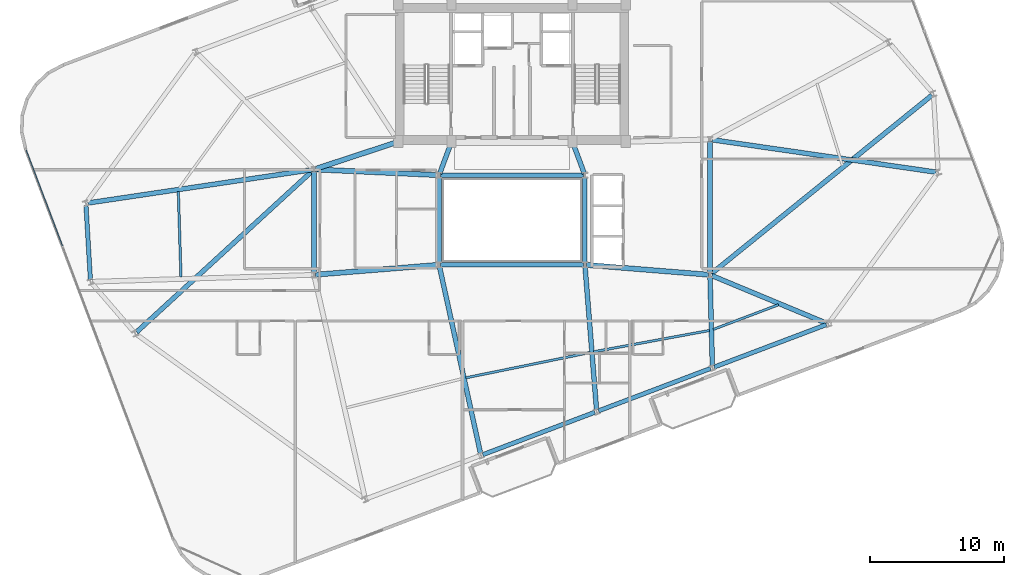
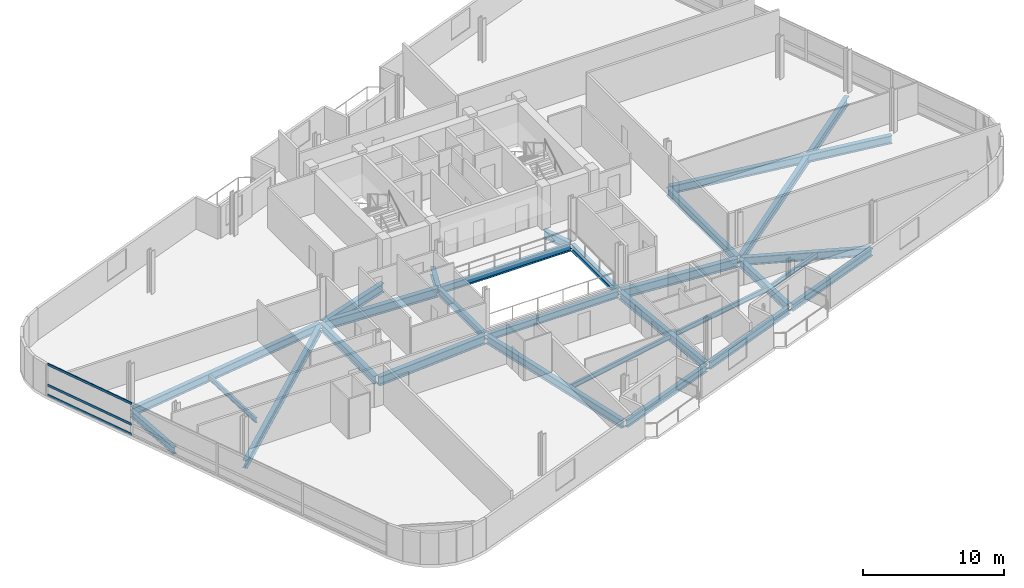
# One storey, part 9 of 23: 28 beams, 3 members, 1 element without a shape of its own.
"""IFC4 building model written with IfcOpenShell, lengths in metres."""

from ifc_helpers import new_model, si_unit, direction, frame, origin, origin_2d, place, context, subcontext, project, spatial, hollow_rectangle, i_section, extrude, material, layer, layer_set, material_profile, profile_set, type_object, element, aggregate, save


model = new_model("IFC4")

# Units and contexts
model_context = context("Model", 3, precision=1e-05, world=origin(), true_north=direction((0.0, 1.0)))
body_context = subcontext(model_context, "Body", "Model", "MODEL_VIEW")
ifc_project = project(units=[si_unit("LENGTHUNIT", "METRE"), si_unit("AREAUNIT", "SQUARE_METRE"), si_unit("VOLUMEUNIT", "CUBIC_METRE"), si_unit("PLANEANGLEUNIT", "RADIAN"), si_unit("MASSUNIT", "GRAM", prefix="KILO")], contexts=[model_context])

# Site, building, storey
site_placement = place(None, origin())
site = spatial("IfcSite", under=ifc_project, at=site_placement, CompositionType="ELEMENT")
building_placement = place(site_placement, origin())
building = spatial("IfcBuilding", under=site, at=building_placement, Name="Varnelok Gate Tower", CompositionType="ELEMENT")
storey_placement = place(building_placement, frame((0.0, 0.0, 227.5)))
storey = spatial("IfcBuildingStorey", under=building, at=storey_placement, Name="L58", CompositionType="ELEMENT", Elevation=227.5)

# Beams
ifc_material_1 = material(Name="Structural Steel ASTM A992 Grade 50", Category="steel")
ifc_material_profile_1 = material_profile(ifc_material_1, i_section(OverallWidth=0.180908203125, OverallDepth=0.4169921875, WebThickness=0.010986328125, FlangeThickness=0.018310546875, FilletRadius=0.013916015625, at=origin_2d()), Name="W16X57")
ifc_profile_set_1 = profile_set([ifc_material_profile_1], Name="Structural Steel ASTM A992 Grade 50")
beam_type_1 = type_object("IfcBeamType", Name="BM-JST-W16X57", PredefinedType="JOIST", material=ifc_profile_set_1)
beam_1_placement = place(storey_placement, frame((35.74951171875, 11.10107421875, -0.45849609375), z_axis=(0.979856858687, 0.199701117883, 0.0), x_axis=(-0.199701117883, 0.979856858687, 0.0)))
element("IfcBeam", 1, at=beam_1_placement, inside=storey, type_object=beam_type_1, Name="L58 Sector Floor Joist 2", PredefinedType="JOIST", context=body_context, shape_type="SweptSolid", body=[
    extrude(i_section(OverallWidth=0.180908203125, OverallDepth=0.4169921875, WebThickness=0.010986328125, FlangeThickness=0.018310546875, FilletRadius=0.013916015625, at=origin_2d()), origin(), (0.0, 0.0, 1.0), 9.478271484375),
])
beam_2_placement = place(storey_placement, frame((45.3115234375, 13.047119140625, -0.45849609375), z_axis=(0.983469046403, 0.181076323042, 0.0), x_axis=(-0.181076323042, 0.983469046403, 0.0)))
element("IfcBeam", 2, at=beam_2_placement, inside=storey, type_object=beam_type_1, Name="L58 Sector Floor Joist 3", PredefinedType="JOIST", context=body_context, shape_type="SweptSolid", body=[
    extrude(i_section(OverallWidth=0.180908203125, OverallDepth=0.4169921875, WebThickness=0.010986328125, FlangeThickness=0.018310546875, FilletRadius=0.013916015625, at=origin_2d()), origin(), (0.0, 0.0, 1.0), 8.80419921875),
])
beam_3_placement = place(storey_placement, frame((54.239013671875, 14.71630859375, -0.45849609375), z_axis=(0.935214325346, 0.354082145368, 0.0), x_axis=(-0.354082145368, 0.935214325346, 0.0)))
element("IfcBeam", 3, at=beam_3_placement, inside=storey, type_object=beam_type_1, Name="L58 Sector Floor Joist 4", PredefinedType="JOIST", context=body_context, shape_type="SweptSolid", body=[
    extrude(i_section(OverallWidth=0.180908203125, OverallDepth=0.4169921875, WebThickness=0.010986328125, FlangeThickness=0.018310546875, FilletRadius=0.013916015625, at=origin_2d()), origin(), (0.0, 0.0, 1.0), 5.2236328125),
])
beam_4_placement = place(storey_placement, frame((14.256591796875, 25.03271484375, -0.45849609375), z_axis=(0.031103851158, -0.99951615817, 0.0), x_axis=(0.99951615817, 0.031103851158, 0.0)))
element("IfcBeam", 4, at=beam_4_placement, inside=storey, type_object=beam_type_1, Name="L58 Sector Floor Joist 11", PredefinedType="JOIST", context=body_context, shape_type="SweptSolid", body=[
    extrude(i_section(OverallWidth=0.180908203125, OverallDepth=0.4169921875, WebThickness=0.010986328125, FlangeThickness=0.018310546875, FilletRadius=0.013916015625, at=origin_2d()), origin(), (0.0, 0.0, 1.0), 6.405029296875),
])
ifc_material_profile_2 = material_profile(ifc_material_1, i_section(OverallWidth=0.35498046875, OverallDepth=0.696044921875, WebThickness=0.015380859375, FlangeThickness=0.02490234375, FilletRadius=0.02001953125, at=origin_2d()), Name="W27X146")
ifc_profile_set_2 = profile_set([ifc_material_profile_2], Name="Structural Steel ASTM A992 Grade 50")
beam_type_2 = type_object("IfcBeamType", Name="BM-PRI-W27X146", PredefinedType="BEAM", material=ifc_profile_set_2)
for number, where, z_axis, x_axis, name in (
    (5, (33.791748046875, 26.362548828125, -0.597900390625), (0.348719329408, 0.937227202602, 0.0), (-0.937227202602, 0.348719329408, 0.0), "L58 Core-Atrium Spine Beam 12"),
    (6, (44.608154296875, 26.362548828125, -0.597900390625), (-0.348719329408, 0.937227202602, 0.0), (-0.937227202602, -0.348719329408, 0.0), "L58 Core-Atrium Spine Beam 13"),
):
    element("IfcBeam", number, at=place(storey_placement, frame(where, z_axis=z_axis, x_axis=x_axis)), inside=storey, type_object=beam_type_2, Name=name, PredefinedType="BEAM", context=body_context, shape_type="SweptSolid", body=[
        extrude(i_section(OverallWidth=0.35498046875, OverallDepth=0.696044921875, WebThickness=0.015380859375, FlangeThickness=0.02490234375, FilletRadius=0.02001953125, at=origin_2d()), origin(), (0.0, 0.0, 1.0), 2.42724609375),
    ])
beam_5_placement = place(storey_placement, frame((24.39990234375, 18.919921875, -0.597900390625), z_axis=(0.0, 1.0, 0.0), x_axis=(-1.0, 0.0, 0.0)))
element("IfcBeam", 7, at=beam_5_placement, inside=storey, type_object=beam_type_2, Name="L58 Core-Atrium Spine Beam 16", PredefinedType="BEAM", context=body_context, shape_type="SweptSolid", body=[
    extrude(i_section(OverallWidth=0.35498046875, OverallDepth=0.696044921875, WebThickness=0.015380859375, FlangeThickness=0.02490234375, FilletRadius=0.02001953125, at=origin_2d()), origin(), (0.0, 0.0, 1.0), 7.64013671875),
])
beam_6_placement = place(storey_placement, frame((54.0, 18.919921875, -0.597900390625), z_axis=(0.0, 1.0, 0.0), x_axis=(-1.0, 0.0, 0.0)))
element("IfcBeam", 8, at=beam_6_placement, inside=storey, type_object=beam_type_2, Name="L58 Core-Atrium Spine Beam 20", PredefinedType="BEAM", context=body_context, shape_type="SweptSolid", body=[
    extrude(i_section(OverallWidth=0.35498046875, OverallDepth=0.696044921875, WebThickness=0.015380859375, FlangeThickness=0.02490234375, FilletRadius=0.02001953125, at=origin_2d()), origin(), (0.0, 0.0, 1.0), 9.880126953125),
])
beam_7_placement = place(storey_placement, frame((33.7822265625, 19.403564453125, -0.597900390625), z_axis=(0.214566745256, -0.976709328219, 0.0), x_axis=(0.976709328219, 0.214566745256, 0.0)))
element("IfcBeam", 9, at=beam_7_placement, inside=storey, type_object=beam_type_2, Name="L58 Radial Floor Girder 2", PredefinedType="BEAM", context=body_context, shape_type="SweptSolid", body=[
    extrude(i_section(OverallWidth=0.35498046875, OverallDepth=0.696044921875, WebThickness=0.015380859375, FlangeThickness=0.02490234375, FilletRadius=0.02001953125, at=origin_2d()), origin(), (0.0, 0.0, 1.0), 14.28662109375),
])
beam_8_placement = place(storey_placement, frame((44.662109375, 19.400390625, -0.597900390625), z_axis=(0.079989916961, -0.996795672736, 0.0), x_axis=(0.996795672736, 0.079989916961, 0.0)))
element("IfcBeam", 10, at=beam_8_placement, inside=storey, type_object=beam_type_2, Name="L58 Radial Floor Girder 3", PredefinedType="BEAM", context=body_context, shape_type="SweptSolid", body=[
    extrude(i_section(OverallWidth=0.35498046875, OverallDepth=0.696044921875, WebThickness=0.015380859375, FlangeThickness=0.02490234375, FilletRadius=0.02001953125, at=origin_2d()), origin(), (0.0, 0.0, 1.0), 10.70703125),
])
beam_9_placement = place(storey_placement, frame((54.00390625, 18.650146484375, -0.597900390625), z_axis=(0.026105842948, -0.999659184404, 0.0), x_axis=(0.999659184404, 0.026105842948, 0.0)))
element("IfcBeam", 11, at=beam_9_placement, inside=storey, type_object=beam_type_2, Name="L58 Radial Floor Girder 4", PredefinedType="BEAM", context=body_context, shape_type="SweptSolid", body=[
    extrude(i_section(OverallWidth=0.35498046875, OverallDepth=0.696044921875, WebThickness=0.015380859375, FlangeThickness=0.02490234375, FilletRadius=0.02001953125, at=origin_2d()), origin(), (0.0, 0.0, 1.0), 6.649169921875),
])
beam_10_placement = place(storey_placement, frame((54.138427734375, 18.742431640625, -0.597900390625), z_axis=(0.923393134815, -0.383855595995, 0.0), x_axis=(0.383855595995, 0.923393134815, 0.0)))
element("IfcBeam", 12, at=beam_10_placement, inside=storey, type_object=beam_type_2, Name="L58 Radial Floor Girder 5", PredefinedType="BEAM", context=body_context, shape_type="SweptSolid", body=[
    extrude(i_section(OverallWidth=0.35498046875, OverallDepth=0.696044921875, WebThickness=0.015380859375, FlangeThickness=0.02490234375, FilletRadius=0.02001953125, at=origin_2d()), origin(), (0.0, 0.0, 1.0), 9.264892578125),
])
beam_11_placement = place(storey_placement, frame((54.1484375, 28.8984375, -0.597900390625), z_axis=(0.989703475153, -0.143132914699, 0.0), x_axis=(0.143132914699, 0.989703475153, 0.0)))
element("IfcBeam", 13, at=beam_11_placement, inside=storey, type_object=beam_type_2, Name="L58 Radial Floor Girder 6", PredefinedType="BEAM", context=body_context, shape_type="SweptSolid", body=[
    extrude(i_section(OverallWidth=0.35498046875, OverallDepth=0.696044921875, WebThickness=0.015380859375, FlangeThickness=0.02490234375, FilletRadius=0.02001953125, at=origin_2d()), origin(), (0.0, 0.0, 1.0), 16.932373046875),
])
beam_12_placement = place(storey_placement, frame((54.11669921875, 18.894287109375, -0.597900390625), z_axis=(0.777332597566, 0.629089844745, 0.0), x_axis=(-0.629089844745, 0.777332597566, 0.0)))
element("IfcBeam", 14, at=beam_12_placement, inside=storey, type_object=beam_type_2, Name="L58 Radial Floor Girder 7", PredefinedType="BEAM", context=body_context, shape_type="SweptSolid", body=[
    extrude(i_section(OverallWidth=0.35498046875, OverallDepth=0.696044921875, WebThickness=0.015380859375, FlangeThickness=0.02490234375, FilletRadius=0.02001953125, at=origin_2d()), origin(), (0.0, 0.0, 1.0), 21.190673828125),
])
beam_13_placement = place(storey_placement, frame((24.251708984375, 26.657958984375, -0.597900390625), z_axis=(-0.989147373927, -0.146926759485, 0.0), x_axis=(0.146926759485, -0.989147373927, 0.0)))
element("IfcBeam", 15, at=beam_13_placement, inside=storey, type_object=beam_type_2, Name="L58 Radial Floor Girder 14", PredefinedType="BEAM", context=body_context, shape_type="SweptSolid", body=[
    extrude(i_section(OverallWidth=0.35498046875, OverallDepth=0.696044921875, WebThickness=0.015380859375, FlangeThickness=0.02490234375, FilletRadius=0.02001953125, at=origin_2d()), origin(), (0.0, 0.0, 1.0), 16.942138671875),
])
beam_14_placement = place(storey_placement, frame((24.289306640625, 26.57861328125, -0.597900390625), z_axis=(-0.737119491435, -0.675762425226, 0.0), x_axis=(0.675762425226, -0.737119491435, 0.0)))
element("IfcBeam", 16, at=beam_14_placement, inside=storey, type_object=beam_type_2, Name="L58 Radial Floor Girder 16", PredefinedType="BEAM", context=body_context, shape_type="SweptSolid", body=[
    extrude(i_section(OverallWidth=0.35498046875, OverallDepth=0.696044921875, WebThickness=0.015380859375, FlangeThickness=0.02490234375, FilletRadius=0.02001953125, at=origin_2d()), origin(), (0.0, 0.0, 1.0), 17.841796875),
])
ifc_material_profile_3 = material_profile(ifc_material_1, i_section(OverallWidth=0.381103515625, OverallDepth=0.77294921875, WebThickness=0.0166015625, FlangeThickness=0.027099609375, FilletRadius=0.02197265625, at=origin_2d()), Name="W30X173")
ifc_profile_set_3 = profile_set([ifc_material_profile_3], Name="Structural Steel ASTM A992 Grade 50")
beam_type_3 = type_object("IfcBeamType", Name="BM-PRI-W30X173", PredefinedType="BEAM", material=ifc_profile_set_3)
beam_15_placement = place(storey_placement, frame((24.51953125, 18.8095703125, -0.636474609375), z_axis=(0.996799206292, 0.07994587128, 0.0), x_axis=(-0.07994587128, 0.996799206292, 0.0)))
element("IfcBeam", 17, at=beam_15_placement, inside=storey, type_object=beam_type_3, Name="L58 Core-Atrium Spine Beam 14", PredefinedType="BEAM", context=body_context, shape_type="SweptSolid", body=[
    extrude(i_section(OverallWidth=0.381103515625, OverallDepth=0.77294921875, WebThickness=0.0166015625, FlangeThickness=0.027099609375, FilletRadius=0.02197265625, at=origin_2d()), origin(), (0.0, 0.0, 1.0), 9.14013671875),
])
beam_16_placement = place(storey_placement, frame((24.52001953125, 26.674560546875, -0.636474609375), z_axis=(0.99894427814, -0.045938319209, 0.0), x_axis=(0.045938319209, 0.99894427814, 0.0)))
element("IfcBeam", 18, at=beam_16_placement, inside=storey, type_object=beam_type_3, Name="L58 Core-Atrium Spine Beam 15", PredefinedType="BEAM", context=body_context, shape_type="SweptSolid", body=[
    extrude(i_section(OverallWidth=0.381103515625, OverallDepth=0.77294921875, WebThickness=0.0166015625, FlangeThickness=0.027099609375, FilletRadius=0.02197265625, at=origin_2d()), origin(), (0.0, 0.0, 1.0), 9.11962890625),
])
beam_17_placement = place(storey_placement, frame((24.513916015625, 26.717529296875, -0.636474609375), z_axis=(0.950041943788, 0.312122259768, 0.0), x_axis=(-0.312122259768, 0.950041943788, 0.0)))
element("IfcBeam", 19, at=beam_17_placement, inside=storey, type_object=beam_type_3, Name="L58 Core-Atrium Spine Beam 17", PredefinedType="BEAM", context=body_context, shape_type="SweptSolid", body=[
    extrude(i_section(OverallWidth=0.381103515625, OverallDepth=0.77294921875, WebThickness=0.0166015625, FlangeThickness=0.027099609375, FilletRadius=0.02197265625, at=origin_2d()), origin(), (0.0, 0.0, 1.0), 6.391357421875),
])
beam_18_placement = place(storey_placement, frame((44.76953125, 19.540283203125, -0.636474609375), z_axis=(0.996799206292, -0.07994587128, 0.0), x_axis=(0.07994587128, 0.996799206292, 0.0)))
element("IfcBeam", 20, at=beam_18_placement, inside=storey, type_object=beam_type_3, Name="L58 Core-Atrium Spine Beam 18", PredefinedType="BEAM", context=body_context, shape_type="SweptSolid", body=[
    extrude(i_section(OverallWidth=0.381103515625, OverallDepth=0.77294921875, WebThickness=0.0166015625, FlangeThickness=0.027099609375, FilletRadius=0.02197265625, at=origin_2d()), origin(), (0.0, 0.0, 1.0), 9.14013671875),
])
ifc_material_profile_4 = material_profile(ifc_material_1, i_section(OverallWidth=0.323974609375, OverallDepth=0.611083984375, WebThickness=0.0126953125, FlangeThickness=0.01904296875, FilletRadius=0.01806640625, at=origin_2d()), Name="W24X104")
ifc_profile_set_4 = profile_set([ifc_material_profile_4], Name="Structural Steel ASTM A992 Grade 50")
beam_type_4 = type_object("IfcBeamType", Name="BM-SPN-W24X104", PredefinedType="SPANDREL", material=ifc_profile_set_4)
for number, where, z_axis, x_axis, name in (
    (21, (33.8701171875, 19.550048828125, -0.555419921875), (1.0, 0.0, 0.0), (0.0, 1.0, 0.0), "L58 Core-Atrium Spine Beam 8"),
    (22, (33.8701171875, 26.25, -0.555419921875), (1.0, 0.0, 0.0), (0.0, 1.0, 0.0), "L58 Core-Atrium Spine Beam 9"),
):
    element("IfcBeam", number, at=place(storey_placement, frame(where, z_axis=z_axis, x_axis=x_axis)), inside=storey, type_object=beam_type_4, Name=name, PredefinedType="SPANDREL", context=body_context, shape_type="SweptSolid", body=[
        extrude(i_section(OverallWidth=0.323974609375, OverallDepth=0.611083984375, WebThickness=0.0126953125, FlangeThickness=0.01904296875, FilletRadius=0.01806640625, at=origin_2d()), origin(), (0.0, 0.0, 1.0), 10.659912109375),
    ])
for number, where, z_axis, x_axis, name in (
    (23, (33.75, 19.669921875, -0.555419921875), (0.0, 1.0, 0.0), (-1.0, 0.0, 0.0), "L58 Core-Atrium Spine Beam 10"),
    (24, (44.64990234375, 19.669921875, -0.555419921875), (0.0, 1.0, 0.0), (-1.0, 0.0, 0.0), "L58 Core-Atrium Spine Beam 11"),
):
    element("IfcBeam", number, at=place(storey_placement, frame(where, z_axis=z_axis, x_axis=x_axis)), inside=storey, type_object=beam_type_4, Name=name, PredefinedType="SPANDREL", context=body_context, shape_type="SweptSolid", body=[
        extrude(i_section(OverallWidth=0.323974609375, OverallDepth=0.611083984375, WebThickness=0.0126953125, FlangeThickness=0.01904296875, FilletRadius=0.01806640625, at=origin_2d()), origin(), (0.0, 0.0, 1.0), 6.4599609375),
    ])
beam_19_placement = place(storey_placement, frame((37.02001953125, 5.356201171875, -0.555419921875), z_axis=(0.935220356141, 0.354066216208, 0.0), x_axis=(-0.354066216208, 0.935220356141, 0.0)))
element("IfcBeam", 25, at=beam_19_placement, inside=storey, type_object=beam_type_4, Name="L58 Perimeter Spandrel Beam 2", PredefinedType="SPANDREL", context=body_context, shape_type="SweptSolid", body=[
    extrude(i_section(OverallWidth=0.323974609375, OverallDepth=0.611083984375, WebThickness=0.0126953125, FlangeThickness=0.01904296875, FilletRadius=0.01806640625, at=origin_2d()), origin(), (0.0, 0.0, 1.0), 8.9501953125),
])
for number, where, z_axis, x_axis, name in (
    (26, (45.6708984375, 8.63134765625, -0.555419921875), (0.935216936382, 0.354075248928, 0.0), (-0.354075248928, 0.935216936382, 0.0), "L58 Perimeter Spandrel Beam 3"),
    (27, (54.32177734375, 11.906494140625, -0.555419921875), (0.935225969099, 0.354051389947, 0.0), (-0.354051389947, 0.935225969099, 0.0), "L58 Perimeter Spandrel Beam 4"),
):
    element("IfcBeam", number, at=place(storey_placement, frame(where, z_axis=z_axis, x_axis=x_axis)), inside=storey, type_object=beam_type_4, Name=name, PredefinedType="SPANDREL", context=body_context, shape_type="SweptSolid", body=[
        extrude(i_section(OverallWidth=0.323974609375, OverallDepth=0.611083984375, WebThickness=0.0126953125, FlangeThickness=0.01904296875, FilletRadius=0.01806640625, at=origin_2d()), origin(), (0.0, 0.0, 1.0), 8.949951171875),
    ])
beam_20_placement = place(storey_placement, frame((7.353759765625, 23.996826171875, -0.555419921875), z_axis=(0.059497061762, -0.99822848068, 0.0), x_axis=(0.99822848068, 0.059497061762, 0.0)))
element("IfcBeam", 28, at=beam_20_placement, inside=storey, type_object=beam_type_4, Name="L58 Perimeter Spandrel Beam 14", PredefinedType="SPANDREL", context=body_context, shape_type="SweptSolid", body=[
    extrude(i_section(OverallWidth=0.323974609375, OverallDepth=0.611083984375, WebThickness=0.0126953125, FlangeThickness=0.01904296875, FilletRadius=0.01806640625, at=origin_2d()), origin(), (0.0, 0.0, 1.0), 5.576416015625),
])

# Curtain wall, members
ifc_material_2 = material(Name="Anodized Aluminum Alloy 6063-T6", Category="aluminium")
ifc_layer = layer(ifc_material_2, 0.179931640625)
ifc_layer_set = layer_set([ifc_layer], Name="Anodized Aluminum Alloy 6063-T6")
curtain_wall_type = type_object("IfcCurtainWallType", Name="CW4-RESIDENCE-VISION", PredefinedType="USERDEFINED", material=ifc_layer_set)
curtain_wall_placement = place(storey_placement, origin())
curtain_wall = element("IfcCurtainWall", 29, at=curtain_wall_placement, inside=storey, type_object=curtain_wall_type, Name="L58 West End Vision Curtain Wall", ObjectType="UNITISED CURTAIN WALL", PredefinedType="USERDEFINED")
ifc_material_profile_5 = material_profile(ifc_material_2, hollow_rectangle(XDim=0.074951171875, YDim=0.199951171875, WallThickness=0.00390625, at=origin_2d()), Name="ALU200X75X4")
ifc_profile_set_5 = profile_set([ifc_material_profile_5], Name="Anodized Aluminum Alloy 6063-T6")
member_type = type_object("IfcMemberType", Name="CW-TRAN-200", PredefinedType="USERDEFINED", material=ifc_profile_set_5)
member_1_placement = place(storey_placement, frame((5.60009765625, 20.9599609375, 0.03759765625), z_axis=(-0.354073041953, 0.935217771945, 0.0), x_axis=(-0.935217771945, -0.354073041953, 0.0)))
member_1 = element("IfcMember", 30, at=member_1_placement, type_object=member_type, Name="CW4 transom 4.1", ObjectType="TRANSOM", PredefinedType="USERDEFINED", context=body_context, shape_type="SweptSolid", body=[
    extrude(hollow_rectangle(XDim=0.074951171875, YDim=0.199951171875, WallThickness=0.00390625, at=origin_2d()), origin(), (0.0, 0.0, 1.0), 7.6875),
])
member_2_placement = place(storey_placement, frame((5.60009765625, 20.9599609375, 0.89990234375), z_axis=(-0.354073041953, 0.935217771945, 0.0), x_axis=(-0.935217771945, -0.354073041953, 0.0)))
member_2 = element("IfcMember", 31, at=member_2_placement, type_object=member_type, Name="CW4 transom 4.2", ObjectType="TRANSOM", PredefinedType="USERDEFINED", context=body_context, shape_type="SweptSolid", body=[
    extrude(hollow_rectangle(XDim=0.074951171875, YDim=0.199951171875, WallThickness=0.00390625, at=origin_2d()), origin(), (0.0, 0.0, 1.0), 7.6875),
])
member_3_placement = place(storey_placement, frame((5.60009765625, 20.9599609375, 2.6923828125), z_axis=(-0.354073041953, 0.935217771945, 0.0), x_axis=(-0.935217771945, -0.354073041953, 0.0)))
member_3 = element("IfcMember", 32, at=member_3_placement, type_object=member_type, Name="CW4 transom 4.3", ObjectType="TRANSOM", PredefinedType="USERDEFINED", context=body_context, shape_type="SweptSolid", body=[
    extrude(hollow_rectangle(XDim=0.074951171875, YDim=0.199951171875, WallThickness=0.00390625, at=origin_2d()), origin(), (0.0, 0.0, 1.0), 7.6875),
])
aggregate(curtain_wall, [member_1, member_2, member_3])

save(model, "model.ifc")
